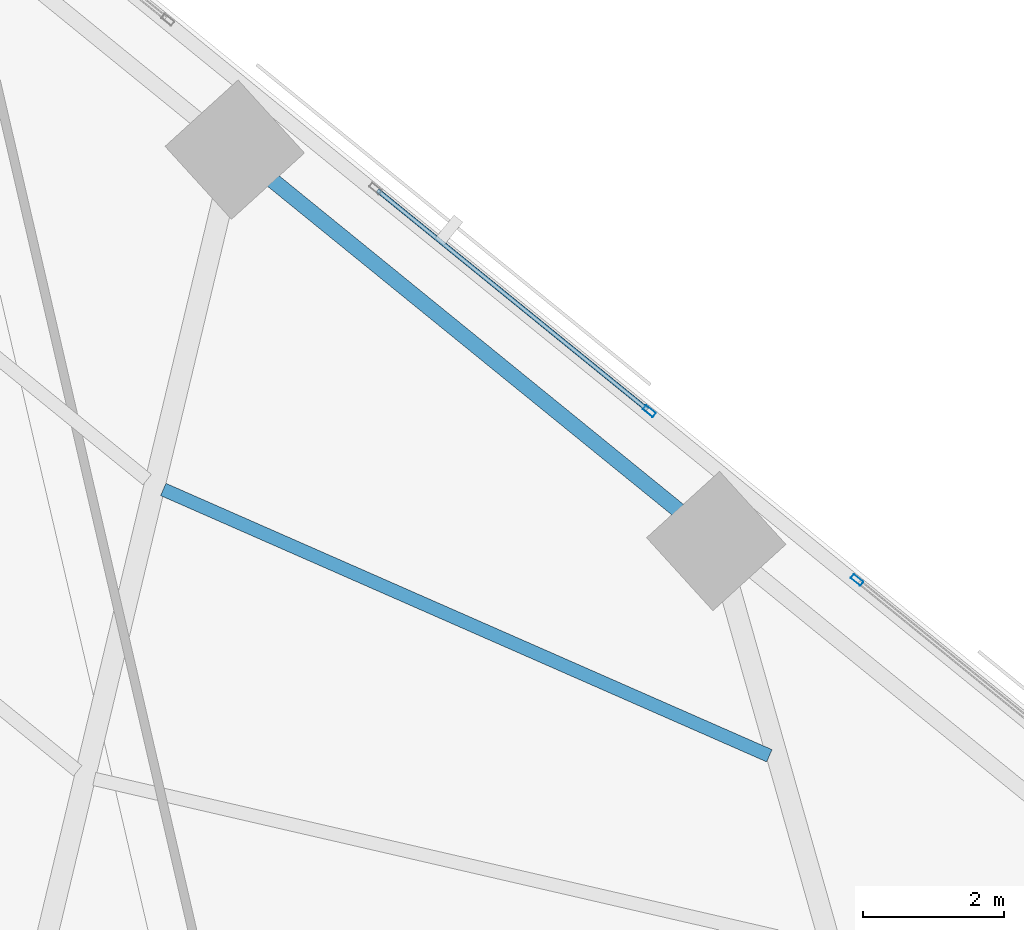
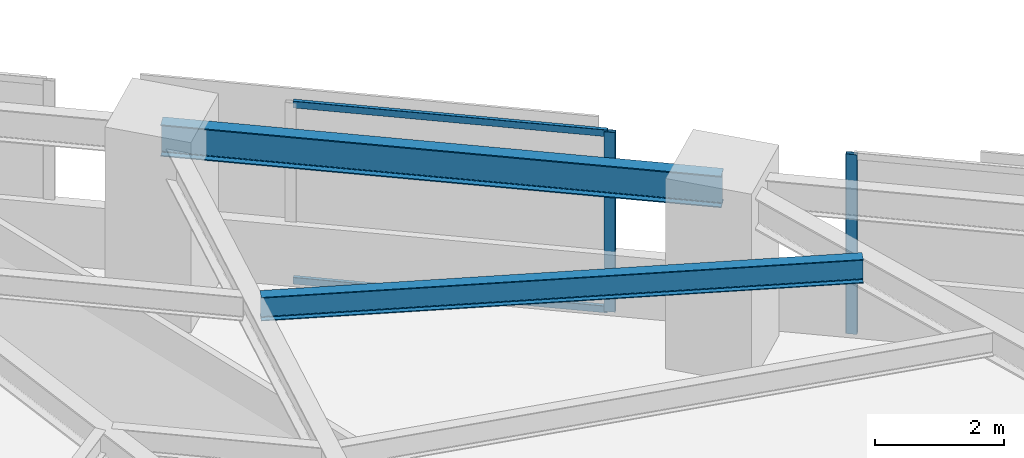
# One storey, part 10 of 17: 4 members, 2 beams, 2 elements without a shape of their own.
"""IFC4 building model written with IfcOpenShell, lengths in metres."""

from ifc_helpers import new_model, si_unit, direction, frame, origin, origin_2d, place, context, subcontext, project, spatial, hollow_rectangle, i_section, extrude, material, material_profile, profile_set, type_object, element, aggregate, save


model = new_model("IFC4")

# Units and contexts
model_context = context("Model", 3, precision=1e-05, world=origin(), true_north=direction((0.0, 1.0)))
body_context = subcontext(model_context, "Body", "Model", "MODEL_VIEW")
ifc_project = project(units=[si_unit("LENGTHUNIT", "METRE"), si_unit("AREAUNIT", "SQUARE_METRE"), si_unit("VOLUMEUNIT", "CUBIC_METRE"), si_unit("PLANEANGLEUNIT", "RADIAN"), si_unit("MASSUNIT", "GRAM", prefix="KILO")], contexts=[model_context])

# Site, building, storey
site_placement = place(None, origin())
site = spatial("IfcSite", under=ifc_project, at=site_placement, CompositionType="ELEMENT")
building_placement = place(site_placement, origin())
building = spatial("IfcBuilding", under=site, at=building_placement, Name="Narakoshi Arena Tower", CompositionType="ELEMENT")
storey_placement = place(building_placement, frame((0.0, 0.0, 51.89990234375)))
storey = spatial("IfcBuildingStorey", under=building, at=storey_placement, Name="L13", CompositionType="ELEMENT", Elevation=51.89990234375)

# Beams
ifc_material_1 = material(Name="Structural steel S355J2", Category="steel")
ifc_material_profile_1 = material_profile(ifc_material_1, i_section(OverallWidth=0.219970703125, OverallDepth=0.60009765625, WebThickness=0.011962890625, FlangeThickness=0.01904296875, FilletRadius=0.02392578125, at=origin_2d()), Name="IPE600")
ifc_profile_set_1 = profile_set([ifc_material_profile_1], Name="Structural steel S355J2")
beam_type_1 = type_object("IfcBeamType", Name="BM-EDGE-600", PredefinedType="BEAM", material=ifc_profile_set_1)
beam_1_placement = place(storey_placement, frame((82.626953125, 66.838623046875, 3.10009765625), z_axis=(-0.775997794165, 0.630735620883, 0.0), x_axis=(-0.630735620883, -0.775997794165, 0.0)))
element("IfcBeam", 1, at=beam_1_placement, inside=storey, type_object=beam_type_1, Name="L13 Perimeter Edge Girder 10", PredefinedType="BEAM", context=body_context, shape_type="SweptSolid", body=[
    extrude(i_section(OverallWidth=0.219970703125, OverallDepth=0.60009765625, WebThickness=0.011962890625, FlangeThickness=0.01904296875, FilletRadius=0.02392578125, at=origin_2d()), origin(), (0.0, 0.0, 1.0), 8.80517578125),
])
ifc_material_profile_2 = material_profile(ifc_material_1, i_section(OverallWidth=0.18994140625, OverallDepth=0.449951171875, WebThickness=0.009521484375, FlangeThickness=0.0146484375, FilletRadius=0.02099609375, at=origin_2d()), Name="IPE450")
ifc_profile_set_2 = profile_set([ifc_material_profile_2], Name="Structural steel S355J2")
beam_type_2 = type_object("IfcBeamType", Name="BM-SEC-450", PredefinedType="JOIST", material=ifc_profile_set_2)
beam_2_placement = place(storey_placement, frame((83.38037109375, 63.79150390625, 3.175048828125), z_axis=(-0.91553294009, 0.402243005669, 0.0), x_axis=(-0.402243005669, -0.91553294009, 0.0)))
element("IfcBeam", 2, at=beam_2_placement, inside=storey, type_object=beam_type_2, Name="L13 Composite Secondary Floor Joist 08", PredefinedType="JOIST", context=body_context, shape_type="SweptSolid", body=[
    extrude(i_section(OverallWidth=0.18994140625, OverallDepth=0.449951171875, WebThickness=0.009521484375, FlangeThickness=0.0146484375, FilletRadius=0.02099609375, at=origin_2d()), origin(), (0.0, 0.0, 1.0), 9.394287109375),
])

# Curtain wall, member
ifc_material_2 = material(Name="Anodised bronze aluminium 6063-T6", Category="aluminium")
curtain_wall_type = type_object("IfcCurtainWallType", Name="CW-HYP-LOW", PredefinedType="NOTDEFINED", material=ifc_material_2)
curtain_wall_1_placement = place(storey_placement, origin())
curtain_wall_1 = element("IfcCurtainWall", 3, at=curtain_wall_1_placement, inside=storey, type_object=curtain_wall_type, Name="L13 Folded Hypotenuse Curtain Wall 2-2", PredefinedType="NOTDEFINED")
ifc_material_profile_3 = material_profile(ifc_material_2, hollow_rectangle(XDim=0.074951171875, YDim=0.179931640625, WallThickness=0.00390625, OuterFilletRadius=0.0048828125, at=origin_2d()), Name="MUL180x75x4")
ifc_profile_set_3 = profile_set([ifc_material_profile_3], Name="Anodised bronze aluminium 6063-T6")
member_type_1 = type_object("IfcMemberType", Name="MEM-MUL-180", PredefinedType="MULLION", material=ifc_profile_set_3)
member_1_placement = place(storey_placement, frame((84.623779296875, 66.285400390625, 0.0), z_axis=(0.0, 0.0, 1.0), x_axis=(-0.630734833051, -0.775998434519, 0.0)))
member_1 = element("IfcMember", 4, at=member_1_placement, type_object=member_type_1, Name="CW-01 mullion 2", PredefinedType="MULLION", context=body_context, shape_type="SweptSolid", body=[
    extrude(hollow_rectangle(XDim=0.074951171875, YDim=0.179931640625, WallThickness=0.00390625, OuterFilletRadius=0.0048828125, at=origin_2d()), origin(), (0.0, 0.0, 1.0), 3.400146484375),
])
aggregate(curtain_wall_1, [member_1])

# Curtain wall, members
curtain_wall_2_placement = place(storey_placement, origin())
curtain_wall_2 = element("IfcCurtainWall", 5, at=curtain_wall_2_placement, inside=storey, type_object=curtain_wall_type, Name="L13 Folded Hypotenuse Curtain Wall 2-3", PredefinedType="NOTDEFINED")
member_2_placement = place(storey_placement, frame((81.677001953125, 68.6806640625, 0.0), z_axis=(0.0, 0.0, 1.0), x_axis=(-0.630722984816, -0.776008064665, 0.0)))
member_2 = element("IfcMember", 6, at=member_2_placement, type_object=member_type_1, Name="CW-01 mullion 1", PredefinedType="MULLION", context=body_context, shape_type="SweptSolid", body=[
    extrude(hollow_rectangle(XDim=0.074951171875, YDim=0.179931640625, WallThickness=0.00390625, OuterFilletRadius=0.0048828125, at=origin_2d()), origin(), (0.0, 0.0, 1.0), 3.400146484375),
])
ifc_material_profile_4 = material_profile(ifc_material_2, hollow_rectangle(XDim=0.06494140625, YDim=0.1298828125, WallThickness=0.00390625, OuterFilletRadius=0.0048828125, at=origin_2d()), Name="TRN130x65x4")
ifc_profile_set_4 = profile_set([ifc_material_profile_4], Name="Anodised bronze aluminium 6063-T6")
member_type_2 = type_object("IfcMemberType", Name="MEM-TRN-130", PredefinedType="USERDEFINED", material=ifc_profile_set_4)
member_3_placement = place(storey_placement, frame((81.647705078125, 68.704345703125, 0.03271484375), z_axis=(-0.77600648718, 0.630724925665, 0.0), x_axis=(-0.630724925665, -0.77600648718, 0.0)))
member_3 = element("IfcMember", 7, at=member_3_placement, type_object=member_type_2, Name="CW-01 transom 1.1", ObjectType="TRANSOM", PredefinedType="USERDEFINED", context=body_context, shape_type="SweptSolid", body=[
    extrude(hollow_rectangle(XDim=0.06494140625, YDim=0.1298828125, WallThickness=0.00390625, OuterFilletRadius=0.0048828125, at=origin_2d()), origin(), (0.0, 0.0, 1.0), 4.93212890625),
])
member_4_placement = place(storey_placement, frame((81.647705078125, 68.704345703125, 3.36767578125), z_axis=(-0.77600648718, 0.630724925665, 0.0), x_axis=(-0.630724925665, -0.77600648718, 0.0)))
member_4 = element("IfcMember", 8, at=member_4_placement, type_object=member_type_2, Name="CW-01 transom 1.2", ObjectType="TRANSOM", PredefinedType="USERDEFINED", context=body_context, shape_type="SweptSolid", body=[
    extrude(hollow_rectangle(XDim=0.06494140625, YDim=0.1298828125, WallThickness=0.00390625, OuterFilletRadius=0.0048828125, at=origin_2d()), origin(), (0.0, 0.0, 1.0), 4.93212890625),
])
aggregate(curtain_wall_2, [member_2, member_3, member_4])

save(model, "model.ifc")
